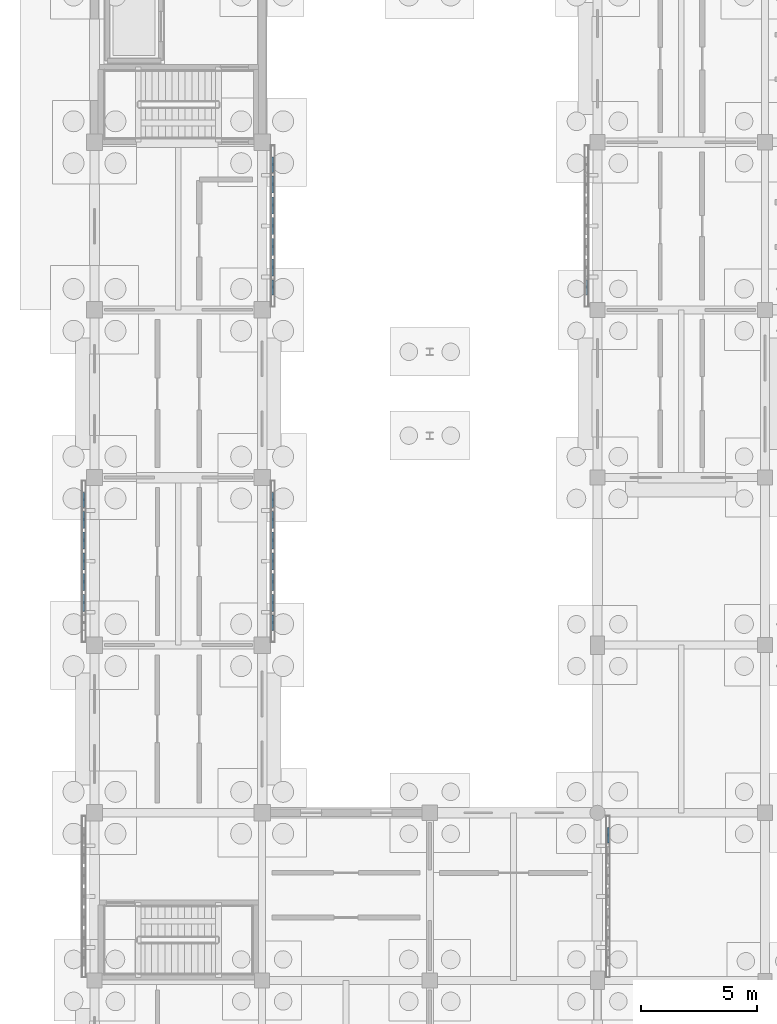
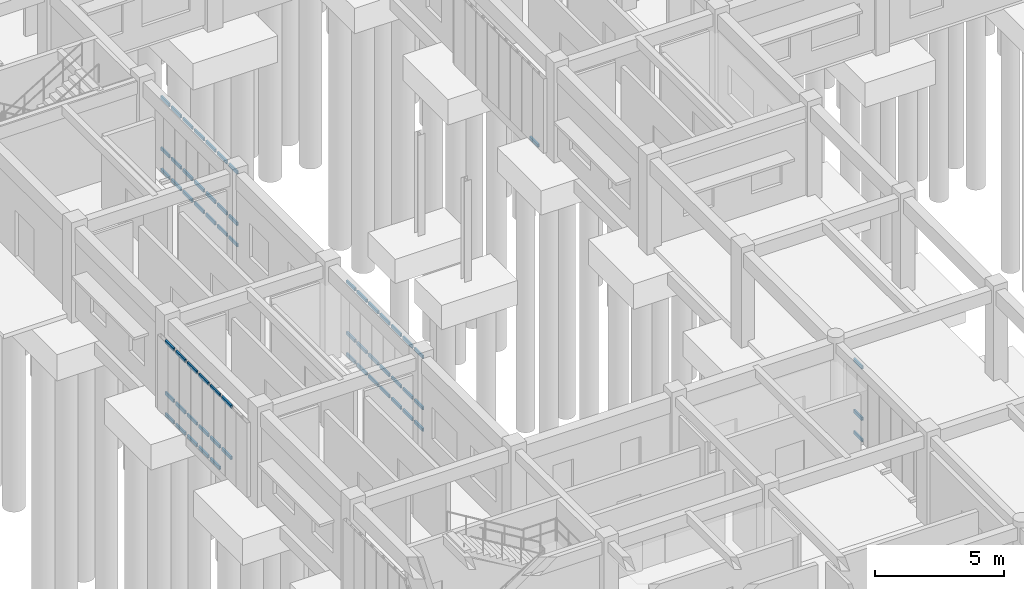
# One storey, part 42 of 111: 63 members, 5 elements without a shape of their own.
"""IFC4 building model written with IfcOpenShell, lengths in metres."""

import ifcopenshell
import ifcopenshell.guid

model = None  # the IFC model being written
_history = None  # IfcOwnerHistory: only IFC2X3 demands one
_inside = {}  # id of a spatial element -> (the spatial element, [elements in it])
_under = {}  # id of a project, library or spatial element -> (it, [spatial elements below it])
_declared = {}  # id of a project -> (the project, [libraries it declares])
_typed = {}  # id of a type object -> (the type object, [elements of that type])
_made_of = {}  # id of a material, layer set ... -> (it, [elements and type objects made of it])


def new_model(schema):
    """Start an empty IFC model of exactly this schema.

    Asked for "IFC4X3", IfcOpenShell would pick the latest addendum, in which some entities
    have other attributes; the version numbers below select the first issue.
    IFC2X3 requires an IfcOwnerHistory on every rooted entity: one is made here for all.
    """
    global model, _history
    if schema == "IFC4X3":
        model = ifcopenshell.file(schema_version=(4, 3, 0, 0))
    else:
        model = ifcopenshell.file(schema=schema)
    _inside.clear()
    _under.clear()
    _declared.clear()
    _typed.clear()
    _made_of.clear()
    _history = None
    if model.schema == "IFC2X3":
        org = make("IfcOrganization", Name="unknown")
        user = make(
            "IfcPersonAndOrganization",
            ThePerson=make("IfcPerson", FamilyName="unknown"),
            TheOrganization=org,
        )
        app = make(
            "IfcApplication",
            ApplicationDeveloper=org,
            Version="unknown",
            ApplicationFullName="unknown",
            ApplicationIdentifier="unknown",
        )
        _history = make(
            "IfcOwnerHistory",
            OwningUser=user,
            OwningApplication=app,
            ChangeAction="ADDED",
            CreationDate=0,
        )
    return model


def make(cls, **values):
    """One entity of the class cls with the attributes given. An attribute that is None is left unset."""
    return model.create_entity(
        cls, **{name: value for name, value in values.items() if value is not None}
    )


def rooted(cls, **values):
    """An entity with a GlobalId (a new one), such as an element, a storey or a relation."""
    return make(cls, GlobalId=ifcopenshell.guid.new(), OwnerHistory=_history, **values)


def si_unit(unit_type, name, prefix=None):
    """IfcSIUnit, for example si_unit("LENGTHUNIT", "METRE", prefix="MILLI")."""
    return make("IfcSIUnit", UnitType=unit_type, Prefix=prefix, Name=name)


def assignment(units):
    """IfcUnitAssignment: the units of a project."""
    return None if units is None else make("IfcUnitAssignment", Units=units)


def point(xyz):
    """IfcCartesianPoint."""
    return None if xyz is None else make("IfcCartesianPoint", Coordinates=xyz)


def direction(xyz):
    """IfcDirection."""
    return None if xyz is None else make("IfcDirection", DirectionRatios=xyz)


def frame(location, z_axis=None, x_axis=None):
    """IfcAxis2Placement3D, a coordinate frame: its origin and axes. An axis left out is left unset."""
    return make(
        "IfcAxis2Placement3D",
        Location=point(location),
        Axis=direction(z_axis),
        RefDirection=direction(x_axis),
    )


def frame_2d(location, x_axis=None):
    """IfcAxis2Placement2D, a coordinate frame in the plane: its origin and x axis."""
    return make(
        "IfcAxis2Placement2D", Location=point(location), RefDirection=direction(x_axis)
    )


def origin():
    """The frame at (0, 0, 0) with its axes left unset."""
    return frame((0.0, 0.0, 0.0))


def origin_2d():
    """The frame at (0, 0) in the plane with its x axis left unset."""
    return frame_2d((0.0, 0.0))


def place(relative_to, where):
    """IfcLocalPlacement: puts the frame where relative to a parent placement (None: the world)."""
    return make(
        "IfcLocalPlacement", PlacementRelTo=relative_to, RelativePlacement=where
    )


def context(
    kind, dimensions, precision=None, world=None, true_north=None, identifier=None
):
    """IfcGeometricRepresentationContext, for example the 3D "Model" context."""
    return make(
        "IfcGeometricRepresentationContext",
        ContextIdentifier=identifier,
        ContextType=kind,
        CoordinateSpaceDimension=dimensions,
        Precision=precision,
        WorldCoordinateSystem=world,
        TrueNorth=true_north,
    )


def subcontext(parent, identifier, kind, view, scale=None):
    """IfcGeometricRepresentationSubContext, for example "Body" below "Model"."""
    return make(
        "IfcGeometricRepresentationSubContext",
        ContextIdentifier=identifier,
        ContextType=kind,
        ParentContext=parent,
        TargetScale=scale,
        TargetView=view,
    )


def project(units=None, contexts=None):
    """IfcProject with its units and contexts."""
    return rooted(
        "IfcProject",
        Name="project",
        RepresentationContexts=contexts,
        UnitsInContext=assignment(units),
    )


def spatial(cls, under=None, at=None, **own):
    """A site, building, storey or space (cls), placed at a placement, below another one or the project."""
    s = rooted(cls, ObjectPlacement=at, **own)
    if under is not None:
        _under.setdefault(under.id(), (under, []))[1].append(s)
    return s


def profile(cls, at=None, kind="AREA", **sizes):
    """A parametric profile (cls). Its sizes go by their IFC names, for example OverallWidth=200.0."""
    return make(cls, ProfileType=kind, Position=at, **sizes)


def hollow_rectangle(**sizes):
    """IfcRectangleHollowProfileDef."""
    return profile("IfcRectangleHollowProfileDef", **sizes)


def extrude(swept, where, along, depth):
    """IfcExtrudedAreaSolid: the profile swept, set in the frame where, extruded along a direction by depth."""
    return make(
        "IfcExtrudedAreaSolid",
        SweptArea=swept,
        Position=where,
        ExtrudedDirection=direction(along),
        Depth=depth,
    )


def shape(context_of_items, identifier, shape_type, items):
    """IfcShapeRepresentation: the items that make up one representation, for example the "Body"."""
    return make(
        "IfcShapeRepresentation",
        ContextOfItems=context_of_items,
        RepresentationIdentifier=identifier,
        RepresentationType=shape_type,
        Items=items,
    )


def material(Name=None, Category=None):
    """IfcMaterial."""
    return make("IfcMaterial", Name=Name, Category=Category)


def material_profile(
    of_material, cross_section, Name=None, Category=None, Priority=None
):
    """IfcMaterialProfile: a cross section and its material."""
    return make(
        "IfcMaterialProfile",
        Name=Name,
        Material=of_material,
        Profile=cross_section,
        Priority=Priority,
        Category=Category,
    )


def profile_set(profiles, Name=None, composite=None):
    """IfcMaterialProfileSet."""
    return make(
        "IfcMaterialProfileSet",
        Name=Name,
        MaterialProfiles=profiles,
        CompositeProfile=composite,
    )


def made_of(thing, what):
    """Note that an element or type object is made of a material, layer set ...; save() writes the relation."""
    if what is not None:
        _made_of.setdefault(what.id(), (what, []))[1].append(thing)
    return thing


def type_object(cls, material=None, **own):
    """A type object (cls), such as IfcWallType, which elements share."""
    return made_of(rooted(cls, **own), material)


def element(
    cls,
    number,
    at=None,
    inside=None,
    cuts=None,
    type_object=None,
    material=None,
    context=None,
    identifier="Body",
    shape_type=None,
    held_by="IfcProductDefinitionShape",
    body=None,
    shapes=None,
    **own,
):
    """One element of the class cls, such as IfcWall. Its Tag is "e" and its number.

    at: its placement. inside: the storey or other place that contains it. cuts: it is an
    opening in that element (IfcRelVoidsElement). A single representation is given by context,
    identifier, shape_type and body (its items); several are given by shapes. held_by: the class
    of the entity that holds the representations. save() writes the other relations.
    """
    e = rooted(cls, Tag="e%d" % number, ObjectPlacement=at, **own)
    if body is not None:
        shapes = [shape(context, identifier, shape_type, body)]
    if shapes is not None:
        e.Representation = make(held_by, Representations=shapes)
    if inside is not None:
        _inside.setdefault(inside.id(), (inside, []))[1].append(e)
    if cuts is not None:
        rooted(
            "IfcRelVoidsElement", RelatingBuildingElement=cuts, RelatedOpeningElement=e
        )
    if type_object is not None:
        _typed.setdefault(type_object.id(), (type_object, []))[1].append(e)
    return made_of(e, material)


def aggregate(whole, parts):
    """IfcRelAggregates: a whole, such as a stair, and the parts it consists of."""
    return rooted("IfcRelAggregates", RelatingObject=whole, RelatedObjects=parts)


def save(model, path):
    """Write the relations noted so far, then the file.

    IfcRelAggregates (storeys below a building ...), IfcRelContainedInSpatialStructure (elements
    in a storey), IfcRelDefinesByType, IfcRelAssociatesMaterial and IfcRelDeclares: one each for
    every whole, place, type object, material and project.
    """
    for whole, parts in _under.values():
        aggregate(whole, parts)
    for where, things in _inside.values():
        rooted(
            "IfcRelContainedInSpatialStructure",
            RelatedElements=things,
            RelatingStructure=where,
        )
    for kind, things in _typed.values():
        rooted("IfcRelDefinesByType", RelatedObjects=things, RelatingType=kind)
    for what, things in _made_of.values():
        rooted("IfcRelAssociatesMaterial", RelatedObjects=things, RelatingMaterial=what)
    for by, libraries in _declared.values():
        rooted("IfcRelDeclares", RelatingContext=by, RelatedDefinitions=libraries)
    model.write(path)


model = new_model("IFC4")

# Units and contexts
model_context = context("Model", 3, precision=1e-05, world=origin(), true_north=direction((0.0, 1.0)))
body_context = subcontext(model_context, "Body", "Model", "MODEL_VIEW")
ifc_project = project(units=[si_unit("LENGTHUNIT", "METRE"), si_unit("AREAUNIT", "SQUARE_METRE"), si_unit("VOLUMEUNIT", "CUBIC_METRE"), si_unit("PLANEANGLEUNIT", "RADIAN"), si_unit("MASSUNIT", "GRAM", prefix="KILO")], contexts=[model_context])

# Site, building, storey
site_placement = place(None, origin())
site = spatial("IfcSite", under=ifc_project, at=site_placement, CompositionType="ELEMENT")
building_placement = place(site_placement, origin())
building = spatial("IfcBuilding", under=site, at=building_placement, Name="Aldebral Square Health Centre", CompositionType="ELEMENT")
storey_placement = place(building_placement, origin())
storey = spatial("IfcBuildingStorey", under=building, at=storey_placement, Name="L00", CompositionType="ELEMENT", Elevation=0.0)

# Curtain wall, members
ifc_material_1 = material(Name="Aluminium and low-E solar glass", Category="aluminium")
curtain_wall_type = type_object("IfcCurtainWallType", Name="CW-FIN-SYS", PredefinedType="USERDEFINED", material=ifc_material_1)
curtain_wall_1_placement = place(storey_placement, origin())
curtain_wall_1 = element("IfcCurtainWall", 1, at=curtain_wall_1_placement, inside=storey, type_object=curtain_wall_type, Name="L00 V4 finned curtain wall L00-V4-00-10-W", ObjectType="SOLAR_CURTAIN_WALL", PredefinedType="USERDEFINED")
ifc_material_2 = material(Name="Anodised aluminium transom", Category="aluminium")
ifc_material_profile = material_profile(ifc_material_2, hollow_rectangle(XDim=0.074951171875, YDim=0.14990234375, WallThickness=0.00390625, at=origin_2d()), Name="CWT 75x150x4")
ifc_profile_set = profile_set([ifc_material_profile], Name="Anodised aluminium transom")
member_type = type_object("IfcMemberType", Name="CWT-STD", PredefinedType="USERDEFINED", material=ifc_profile_set)
member_1_placement = place(storey_placement, frame((-0.4599609375, 78.56005859375, 0.03759765625), z_axis=(0.0, -1.0, 0.0), x_axis=(1.0, 0.0, 0.0)))
member_1 = element("IfcMember", 2, at=member_1_placement, type_object=member_type, Name="CW1 transom 1.1", ObjectType="TRANSOM", PredefinedType="USERDEFINED", context=body_context, shape_type="SweptSolid", body=[
    extrude(hollow_rectangle(XDim=0.074951171875, YDim=0.14990234375, WallThickness=0.00390625, at=origin_2d()), origin(), (0.0, 0.0, 1.0), 0.6513671875),
])
member_2_placement = place(storey_placement, frame((-0.4599609375, 78.56005859375, 1.050048828125), z_axis=(0.0, -1.0, 0.0), x_axis=(1.0, 0.0, 0.0)))
member_2 = element("IfcMember", 3, at=member_2_placement, type_object=member_type, Name="CW1 transom 1.2", ObjectType="TRANSOM", PredefinedType="USERDEFINED", context=body_context, shape_type="SweptSolid", body=[
    extrude(hollow_rectangle(XDim=0.074951171875, YDim=0.14990234375, WallThickness=0.00390625, at=origin_2d()), origin(), (0.0, 0.0, 1.0), 0.6513671875),
])
member_3_placement = place(storey_placement, frame((-0.4599609375, 78.56005859375, 3.482421875), z_axis=(0.0, -1.0, 0.0), x_axis=(1.0, 0.0, 0.0)))
member_3 = element("IfcMember", 4, at=member_3_placement, type_object=member_type, Name="CW1 transom 1.3", ObjectType="TRANSOM", PredefinedType="USERDEFINED", context=body_context, shape_type="SweptSolid", body=[
    extrude(hollow_rectangle(XDim=0.074951171875, YDim=0.14990234375, WallThickness=0.00390625, at=origin_2d()), origin(), (0.0, 0.0, 1.0), 0.6513671875),
])
member_4_placement = place(storey_placement, frame((-0.4599609375, 77.74853515625, 0.03759765625), z_axis=(0.0, -1.0, 0.0), x_axis=(1.0, 0.0, 0.0)))
member_4 = element("IfcMember", 5, at=member_4_placement, type_object=member_type, Name="CW1 transom 2.1", ObjectType="TRANSOM", PredefinedType="USERDEFINED", context=body_context, shape_type="SweptSolid", body=[
    extrude(hollow_rectangle(XDim=0.074951171875, YDim=0.14990234375, WallThickness=0.00390625, at=origin_2d()), origin(), (0.0, 0.0, 1.0), 0.7314453125),
])
member_5_placement = place(storey_placement, frame((-0.4599609375, 77.74853515625, 1.050048828125), z_axis=(0.0, -1.0, 0.0), x_axis=(1.0, 0.0, 0.0)))
member_5 = element("IfcMember", 6, at=member_5_placement, type_object=member_type, Name="CW1 transom 2.2", ObjectType="TRANSOM", PredefinedType="USERDEFINED", context=body_context, shape_type="SweptSolid", body=[
    extrude(hollow_rectangle(XDim=0.074951171875, YDim=0.14990234375, WallThickness=0.00390625, at=origin_2d()), origin(), (0.0, 0.0, 1.0), 0.7314453125),
])
member_6_placement = place(storey_placement, frame((-0.4599609375, 77.74853515625, 3.482421875), z_axis=(0.0, -1.0, 0.0), x_axis=(1.0, 0.0, 0.0)))
member_6 = element("IfcMember", 7, at=member_6_placement, type_object=member_type, Name="CW1 transom 2.3", ObjectType="TRANSOM", PredefinedType="USERDEFINED", context=body_context, shape_type="SweptSolid", body=[
    extrude(hollow_rectangle(XDim=0.074951171875, YDim=0.14990234375, WallThickness=0.00390625, at=origin_2d()), origin(), (0.0, 0.0, 1.0), 0.7314453125),
])
member_7_placement = place(storey_placement, frame((-0.4599609375, 76.857177734375, 0.03759765625), z_axis=(0.0, -1.0, 0.0), x_axis=(1.0, 0.0, 0.0)))
member_7 = element("IfcMember", 8, at=member_7_placement, type_object=member_type, Name="CW1 transom 3.1", ObjectType="TRANSOM", PredefinedType="USERDEFINED", context=body_context, shape_type="SweptSolid", body=[
    extrude(hollow_rectangle(XDim=0.074951171875, YDim=0.14990234375, WallThickness=0.00390625, at=origin_2d()), origin(), (0.0, 0.0, 1.0), 0.7314453125),
])
member_8_placement = place(storey_placement, frame((-0.4599609375, 76.857177734375, 1.050048828125), z_axis=(0.0, -1.0, 0.0), x_axis=(1.0, 0.0, 0.0)))
member_8 = element("IfcMember", 9, at=member_8_placement, type_object=member_type, Name="CW1 transom 3.2", ObjectType="TRANSOM", PredefinedType="USERDEFINED", context=body_context, shape_type="SweptSolid", body=[
    extrude(hollow_rectangle(XDim=0.074951171875, YDim=0.14990234375, WallThickness=0.00390625, at=origin_2d()), origin(), (0.0, 0.0, 1.0), 0.7314453125),
])
member_9_placement = place(storey_placement, frame((-0.4599609375, 76.857177734375, 3.482421875), z_axis=(0.0, -1.0, 0.0), x_axis=(1.0, 0.0, 0.0)))
member_9 = element("IfcMember", 10, at=member_9_placement, type_object=member_type, Name="CW1 transom 3.3", ObjectType="TRANSOM", PredefinedType="USERDEFINED", context=body_context, shape_type="SweptSolid", body=[
    extrude(hollow_rectangle(XDim=0.074951171875, YDim=0.14990234375, WallThickness=0.00390625, at=origin_2d()), origin(), (0.0, 0.0, 1.0), 0.7314453125),
])
member_10_placement = place(storey_placement, frame((-0.4599609375, 75.9658203125, 0.03759765625), z_axis=(0.0, -1.0, 0.0), x_axis=(1.0, 0.0, 0.0)))
member_10 = element("IfcMember", 11, at=member_10_placement, type_object=member_type, Name="CW1 transom 4.1", ObjectType="TRANSOM", PredefinedType="USERDEFINED", context=body_context, shape_type="SweptSolid", body=[
    extrude(hollow_rectangle(XDim=0.074951171875, YDim=0.14990234375, WallThickness=0.00390625, at=origin_2d()), origin(), (0.0, 0.0, 1.0), 0.7314453125),
])
member_11_placement = place(storey_placement, frame((-0.4599609375, 75.9658203125, 1.050048828125), z_axis=(0.0, -1.0, 0.0), x_axis=(1.0, 0.0, 0.0)))
member_11 = element("IfcMember", 12, at=member_11_placement, type_object=member_type, Name="CW1 transom 4.2", ObjectType="TRANSOM", PredefinedType="USERDEFINED", context=body_context, shape_type="SweptSolid", body=[
    extrude(hollow_rectangle(XDim=0.074951171875, YDim=0.14990234375, WallThickness=0.00390625, at=origin_2d()), origin(), (0.0, 0.0, 1.0), 0.7314453125),
])
member_12_placement = place(storey_placement, frame((-0.4599609375, 75.9658203125, 3.482421875), z_axis=(0.0, -1.0, 0.0), x_axis=(1.0, 0.0, 0.0)))
member_12 = element("IfcMember", 13, at=member_12_placement, type_object=member_type, Name="CW1 transom 4.3", ObjectType="TRANSOM", PredefinedType="USERDEFINED", context=body_context, shape_type="SweptSolid", body=[
    extrude(hollow_rectangle(XDim=0.074951171875, YDim=0.14990234375, WallThickness=0.00390625, at=origin_2d()), origin(), (0.0, 0.0, 1.0), 0.7314453125),
])
member_13_placement = place(storey_placement, frame((-0.4599609375, 75.07421875, 0.03759765625), z_axis=(0.0, -1.0, 0.0), x_axis=(1.0, 0.0, 0.0)))
member_13 = element("IfcMember", 14, at=member_13_placement, type_object=member_type, Name="CW1 transom 5.1", ObjectType="TRANSOM", PredefinedType="USERDEFINED", context=body_context, shape_type="SweptSolid", body=[
    extrude(hollow_rectangle(XDim=0.074951171875, YDim=0.14990234375, WallThickness=0.00390625, at=origin_2d()), origin(), (0.0, 0.0, 1.0), 0.7314453125),
])
member_14_placement = place(storey_placement, frame((-0.4599609375, 75.07421875, 1.050048828125), z_axis=(0.0, -1.0, 0.0), x_axis=(1.0, 0.0, 0.0)))
member_14 = element("IfcMember", 15, at=member_14_placement, type_object=member_type, Name="CW1 transom 5.2", ObjectType="TRANSOM", PredefinedType="USERDEFINED", context=body_context, shape_type="SweptSolid", body=[
    extrude(hollow_rectangle(XDim=0.074951171875, YDim=0.14990234375, WallThickness=0.00390625, at=origin_2d()), origin(), (0.0, 0.0, 1.0), 0.7314453125),
])
member_15_placement = place(storey_placement, frame((-0.4599609375, 75.07421875, 3.482421875), z_axis=(0.0, -1.0, 0.0), x_axis=(1.0, 0.0, 0.0)))
member_15 = element("IfcMember", 16, at=member_15_placement, type_object=member_type, Name="CW1 transom 5.3", ObjectType="TRANSOM", PredefinedType="USERDEFINED", context=body_context, shape_type="SweptSolid", body=[
    extrude(hollow_rectangle(XDim=0.074951171875, YDim=0.14990234375, WallThickness=0.00390625, at=origin_2d()), origin(), (0.0, 0.0, 1.0), 0.7314453125),
])
member_16_placement = place(storey_placement, frame((-0.4599609375, 74.182861328125, 1.050048828125), z_axis=(0.0, -1.0, 0.0), x_axis=(1.0, 0.0, 0.0)))
member_16 = element("IfcMember", 17, at=member_16_placement, type_object=member_type, Name="CW1 transom 6.2", ObjectType="TRANSOM", PredefinedType="USERDEFINED", context=body_context, shape_type="SweptSolid", body=[
    extrude(hollow_rectangle(XDim=0.074951171875, YDim=0.14990234375, WallThickness=0.00390625, at=origin_2d()), origin(), (0.0, 0.0, 1.0), 0.7314453125),
])
member_17_placement = place(storey_placement, frame((-0.4599609375, 74.182861328125, 3.482421875), z_axis=(0.0, -1.0, 0.0), x_axis=(1.0, 0.0, 0.0)))
member_17 = element("IfcMember", 18, at=member_17_placement, type_object=member_type, Name="CW1 transom 6.3", ObjectType="TRANSOM", PredefinedType="USERDEFINED", context=body_context, shape_type="SweptSolid", body=[
    extrude(hollow_rectangle(XDim=0.074951171875, YDim=0.14990234375, WallThickness=0.00390625, at=origin_2d()), origin(), (0.0, 0.0, 1.0), 0.7314453125),
])
aggregate(curtain_wall_1, [member_1, member_2, member_3, member_4, member_5, member_6, member_7, member_8, member_9, member_10, member_11, member_12, member_13, member_14, member_15, member_16, member_17])

curtain_wall_2_placement = place(storey_placement, origin())
curtain_wall_2 = element("IfcCurtainWall", 19, at=curtain_wall_2_placement, inside=storey, type_object=curtain_wall_type, Name="L00 V4 finned curtain wall L00-V4-00-10-E", ObjectType="SOLAR_CURTAIN_WALL", PredefinedType="USERDEFINED")
member_18_placement = place(storey_placement, frame((7.659912109375, 72.639892578125, 0.03759765625), z_axis=(0.0, 1.0, 0.0), x_axis=(-1.0, 0.0, 0.0)))
member_18 = element("IfcMember", 20, at=member_18_placement, type_object=member_type, Name="CW1 transom 1.1", ObjectType="TRANSOM", PredefinedType="USERDEFINED", context=body_context, shape_type="SweptSolid", body=[
    extrude(hollow_rectangle(XDim=0.074951171875, YDim=0.14990234375, WallThickness=0.00390625, at=origin_2d()), origin(), (0.0, 0.0, 1.0), 0.651611328125),
])
member_19_placement = place(storey_placement, frame((7.659912109375, 72.639892578125, 1.050048828125), z_axis=(0.0, 1.0, 0.0), x_axis=(-1.0, 0.0, 0.0)))
member_19 = element("IfcMember", 21, at=member_19_placement, type_object=member_type, Name="CW1 transom 1.2", ObjectType="TRANSOM", PredefinedType="USERDEFINED", context=body_context, shape_type="SweptSolid", body=[
    extrude(hollow_rectangle(XDim=0.074951171875, YDim=0.14990234375, WallThickness=0.00390625, at=origin_2d()), origin(), (0.0, 0.0, 1.0), 0.651611328125),
])
member_20_placement = place(storey_placement, frame((7.659912109375, 72.639892578125, 3.482421875), z_axis=(0.0, 1.0, 0.0), x_axis=(-1.0, 0.0, 0.0)))
member_20 = element("IfcMember", 22, at=member_20_placement, type_object=member_type, Name="CW1 transom 1.3", ObjectType="TRANSOM", PredefinedType="USERDEFINED", context=body_context, shape_type="SweptSolid", body=[
    extrude(hollow_rectangle(XDim=0.074951171875, YDim=0.14990234375, WallThickness=0.00390625, at=origin_2d()), origin(), (0.0, 0.0, 1.0), 0.651611328125),
])
member_21_placement = place(storey_placement, frame((7.659912109375, 73.451416015625, 0.03759765625), z_axis=(0.0, 1.0, 0.0), x_axis=(-1.0, 0.0, 0.0)))
member_21 = element("IfcMember", 23, at=member_21_placement, type_object=member_type, Name="CW1 transom 2.1", ObjectType="TRANSOM", PredefinedType="USERDEFINED", context=body_context, shape_type="SweptSolid", body=[
    extrude(hollow_rectangle(XDim=0.074951171875, YDim=0.14990234375, WallThickness=0.00390625, at=origin_2d()), origin(), (0.0, 0.0, 1.0), 0.7314453125),
])
member_22_placement = place(storey_placement, frame((7.659912109375, 73.451416015625, 1.050048828125), z_axis=(0.0, 1.0, 0.0), x_axis=(-1.0, 0.0, 0.0)))
member_22 = element("IfcMember", 24, at=member_22_placement, type_object=member_type, Name="CW1 transom 2.2", ObjectType="TRANSOM", PredefinedType="USERDEFINED", context=body_context, shape_type="SweptSolid", body=[
    extrude(hollow_rectangle(XDim=0.074951171875, YDim=0.14990234375, WallThickness=0.00390625, at=origin_2d()), origin(), (0.0, 0.0, 1.0), 0.7314453125),
])
member_23_placement = place(storey_placement, frame((7.659912109375, 73.451416015625, 3.482421875), z_axis=(0.0, 1.0, 0.0), x_axis=(-1.0, 0.0, 0.0)))
member_23 = element("IfcMember", 25, at=member_23_placement, type_object=member_type, Name="CW1 transom 2.3", ObjectType="TRANSOM", PredefinedType="USERDEFINED", context=body_context, shape_type="SweptSolid", body=[
    extrude(hollow_rectangle(XDim=0.074951171875, YDim=0.14990234375, WallThickness=0.00390625, at=origin_2d()), origin(), (0.0, 0.0, 1.0), 0.7314453125),
])
member_24_placement = place(storey_placement, frame((7.659912109375, 74.3427734375, 0.03759765625), z_axis=(0.0, 1.0, 0.0), x_axis=(-1.0, 0.0, 0.0)))
member_24 = element("IfcMember", 26, at=member_24_placement, type_object=member_type, Name="CW1 transom 3.1", ObjectType="TRANSOM", PredefinedType="USERDEFINED", context=body_context, shape_type="SweptSolid", body=[
    extrude(hollow_rectangle(XDim=0.074951171875, YDim=0.14990234375, WallThickness=0.00390625, at=origin_2d()), origin(), (0.0, 0.0, 1.0), 0.7314453125),
])
member_25_placement = place(storey_placement, frame((7.659912109375, 74.3427734375, 1.050048828125), z_axis=(0.0, 1.0, 0.0), x_axis=(-1.0, 0.0, 0.0)))
member_25 = element("IfcMember", 27, at=member_25_placement, type_object=member_type, Name="CW1 transom 3.2", ObjectType="TRANSOM", PredefinedType="USERDEFINED", context=body_context, shape_type="SweptSolid", body=[
    extrude(hollow_rectangle(XDim=0.074951171875, YDim=0.14990234375, WallThickness=0.00390625, at=origin_2d()), origin(), (0.0, 0.0, 1.0), 0.7314453125),
])
member_26_placement = place(storey_placement, frame((7.659912109375, 74.3427734375, 3.482421875), z_axis=(0.0, 1.0, 0.0), x_axis=(-1.0, 0.0, 0.0)))
member_26 = element("IfcMember", 28, at=member_26_placement, type_object=member_type, Name="CW1 transom 3.3", ObjectType="TRANSOM", PredefinedType="USERDEFINED", context=body_context, shape_type="SweptSolid", body=[
    extrude(hollow_rectangle(XDim=0.074951171875, YDim=0.14990234375, WallThickness=0.00390625, at=origin_2d()), origin(), (0.0, 0.0, 1.0), 0.7314453125),
])
member_27_placement = place(storey_placement, frame((7.659912109375, 75.234375, 0.03759765625), z_axis=(0.0, 1.0, 0.0), x_axis=(-1.0, 0.0, 0.0)))
member_27 = element("IfcMember", 29, at=member_27_placement, type_object=member_type, Name="CW1 transom 4.1", ObjectType="TRANSOM", PredefinedType="USERDEFINED", context=body_context, shape_type="SweptSolid", body=[
    extrude(hollow_rectangle(XDim=0.074951171875, YDim=0.14990234375, WallThickness=0.00390625, at=origin_2d()), origin(), (0.0, 0.0, 1.0), 0.7314453125),
])
member_28_placement = place(storey_placement, frame((7.659912109375, 75.234375, 1.050048828125), z_axis=(0.0, 1.0, 0.0), x_axis=(-1.0, 0.0, 0.0)))
member_28 = element("IfcMember", 30, at=member_28_placement, type_object=member_type, Name="CW1 transom 4.2", ObjectType="TRANSOM", PredefinedType="USERDEFINED", context=body_context, shape_type="SweptSolid", body=[
    extrude(hollow_rectangle(XDim=0.074951171875, YDim=0.14990234375, WallThickness=0.00390625, at=origin_2d()), origin(), (0.0, 0.0, 1.0), 0.7314453125),
])
member_29_placement = place(storey_placement, frame((7.659912109375, 75.234375, 3.482421875), z_axis=(0.0, 1.0, 0.0), x_axis=(-1.0, 0.0, 0.0)))
member_29 = element("IfcMember", 31, at=member_29_placement, type_object=member_type, Name="CW1 transom 4.3", ObjectType="TRANSOM", PredefinedType="USERDEFINED", context=body_context, shape_type="SweptSolid", body=[
    extrude(hollow_rectangle(XDim=0.074951171875, YDim=0.14990234375, WallThickness=0.00390625, at=origin_2d()), origin(), (0.0, 0.0, 1.0), 0.7314453125),
])
member_30_placement = place(storey_placement, frame((7.659912109375, 76.125732421875, 0.03759765625), z_axis=(0.0, 1.0, 0.0), x_axis=(-1.0, 0.0, 0.0)))
member_30 = element("IfcMember", 32, at=member_30_placement, type_object=member_type, Name="CW1 transom 5.1", ObjectType="TRANSOM", PredefinedType="USERDEFINED", context=body_context, shape_type="SweptSolid", body=[
    extrude(hollow_rectangle(XDim=0.074951171875, YDim=0.14990234375, WallThickness=0.00390625, at=origin_2d()), origin(), (0.0, 0.0, 1.0), 0.7314453125),
])
member_31_placement = place(storey_placement, frame((7.659912109375, 76.125732421875, 1.050048828125), z_axis=(0.0, 1.0, 0.0), x_axis=(-1.0, 0.0, 0.0)))
member_31 = element("IfcMember", 33, at=member_31_placement, type_object=member_type, Name="CW1 transom 5.2", ObjectType="TRANSOM", PredefinedType="USERDEFINED", context=body_context, shape_type="SweptSolid", body=[
    extrude(hollow_rectangle(XDim=0.074951171875, YDim=0.14990234375, WallThickness=0.00390625, at=origin_2d()), origin(), (0.0, 0.0, 1.0), 0.7314453125),
])
member_32_placement = place(storey_placement, frame((7.659912109375, 76.125732421875, 3.482421875), z_axis=(0.0, 1.0, 0.0), x_axis=(-1.0, 0.0, 0.0)))
member_32 = element("IfcMember", 34, at=member_32_placement, type_object=member_type, Name="CW1 transom 5.3", ObjectType="TRANSOM", PredefinedType="USERDEFINED", context=body_context, shape_type="SweptSolid", body=[
    extrude(hollow_rectangle(XDim=0.074951171875, YDim=0.14990234375, WallThickness=0.00390625, at=origin_2d()), origin(), (0.0, 0.0, 1.0), 0.7314453125),
])
member_33_placement = place(storey_placement, frame((7.659912109375, 77.01708984375, 0.03759765625), z_axis=(0.0, 1.0, 0.0), x_axis=(-1.0, 0.0, 0.0)))
member_33 = element("IfcMember", 35, at=member_33_placement, type_object=member_type, Name="CW1 transom 6.1", ObjectType="TRANSOM", PredefinedType="USERDEFINED", context=body_context, shape_type="SweptSolid", body=[
    extrude(hollow_rectangle(XDim=0.074951171875, YDim=0.14990234375, WallThickness=0.00390625, at=origin_2d()), origin(), (0.0, 0.0, 1.0), 0.7314453125),
])
member_34_placement = place(storey_placement, frame((7.659912109375, 77.01708984375, 1.050048828125), z_axis=(0.0, 1.0, 0.0), x_axis=(-1.0, 0.0, 0.0)))
member_34 = element("IfcMember", 36, at=member_34_placement, type_object=member_type, Name="CW1 transom 6.2", ObjectType="TRANSOM", PredefinedType="USERDEFINED", context=body_context, shape_type="SweptSolid", body=[
    extrude(hollow_rectangle(XDim=0.074951171875, YDim=0.14990234375, WallThickness=0.00390625, at=origin_2d()), origin(), (0.0, 0.0, 1.0), 0.7314453125),
])
member_35_placement = place(storey_placement, frame((7.659912109375, 77.01708984375, 3.482421875), z_axis=(0.0, 1.0, 0.0), x_axis=(-1.0, 0.0, 0.0)))
member_35 = element("IfcMember", 37, at=member_35_placement, type_object=member_type, Name="CW1 transom 6.3", ObjectType="TRANSOM", PredefinedType="USERDEFINED", context=body_context, shape_type="SweptSolid", body=[
    extrude(hollow_rectangle(XDim=0.074951171875, YDim=0.14990234375, WallThickness=0.00390625, at=origin_2d()), origin(), (0.0, 0.0, 1.0), 0.7314453125),
])
member_36_placement = place(storey_placement, frame((7.659912109375, 77.90869140625, 0.03759765625), z_axis=(0.0, 1.0, 0.0), x_axis=(-1.0, 0.0, 0.0)))
member_36 = element("IfcMember", 38, at=member_36_placement, type_object=member_type, Name="CW1 transom 7.1", ObjectType="TRANSOM", PredefinedType="USERDEFINED", context=body_context, shape_type="SweptSolid", body=[
    extrude(hollow_rectangle(XDim=0.074951171875, YDim=0.14990234375, WallThickness=0.00390625, at=origin_2d()), origin(), (0.0, 0.0, 1.0), 0.6513671875),
])
member_37_placement = place(storey_placement, frame((7.659912109375, 77.90869140625, 1.050048828125), z_axis=(0.0, 1.0, 0.0), x_axis=(-1.0, 0.0, 0.0)))
member_37 = element("IfcMember", 39, at=member_37_placement, type_object=member_type, Name="CW1 transom 7.2", ObjectType="TRANSOM", PredefinedType="USERDEFINED", context=body_context, shape_type="SweptSolid", body=[
    extrude(hollow_rectangle(XDim=0.074951171875, YDim=0.14990234375, WallThickness=0.00390625, at=origin_2d()), origin(), (0.0, 0.0, 1.0), 0.6513671875),
])
member_38_placement = place(storey_placement, frame((7.659912109375, 77.90869140625, 3.482421875), z_axis=(0.0, 1.0, 0.0), x_axis=(-1.0, 0.0, 0.0)))
member_38 = element("IfcMember", 40, at=member_38_placement, type_object=member_type, Name="CW1 transom 7.3", ObjectType="TRANSOM", PredefinedType="USERDEFINED", context=body_context, shape_type="SweptSolid", body=[
    extrude(hollow_rectangle(XDim=0.074951171875, YDim=0.14990234375, WallThickness=0.00390625, at=origin_2d()), origin(), (0.0, 0.0, 1.0), 0.6513671875),
])
aggregate(curtain_wall_2, [member_18, member_19, member_20, member_21, member_22, member_23, member_24, member_25, member_26, member_27, member_28, member_29, member_30, member_31, member_32, member_33, member_34, member_35, member_36, member_37, member_38])

curtain_wall_3_placement = place(storey_placement, origin())
curtain_wall_3 = element("IfcCurtainWall", 41, at=curtain_wall_3_placement, inside=storey, type_object=curtain_wall_type, Name="L00 V4 finned curtain wall L00-V4-00-12-E", ObjectType="SOLAR_CURTAIN_WALL", PredefinedType="USERDEFINED")
member_39_placement = place(storey_placement, frame((7.659912109375, 87.0400390625, 0.03759765625), z_axis=(0.0, 1.0, 0.0), x_axis=(-1.0, 0.0, 0.0)))
member_39 = element("IfcMember", 42, at=member_39_placement, type_object=member_type, Name="CW1 transom 1.1", ObjectType="TRANSOM", PredefinedType="USERDEFINED", context=body_context, shape_type="SweptSolid", body=[
    extrude(hollow_rectangle(XDim=0.074951171875, YDim=0.14990234375, WallThickness=0.00390625, at=origin_2d()), origin(), (0.0, 0.0, 1.0), 0.6513671875),
])
member_40_placement = place(storey_placement, frame((7.659912109375, 87.0400390625, 1.050048828125), z_axis=(0.0, 1.0, 0.0), x_axis=(-1.0, 0.0, 0.0)))
member_40 = element("IfcMember", 43, at=member_40_placement, type_object=member_type, Name="CW1 transom 1.2", ObjectType="TRANSOM", PredefinedType="USERDEFINED", context=body_context, shape_type="SweptSolid", body=[
    extrude(hollow_rectangle(XDim=0.074951171875, YDim=0.14990234375, WallThickness=0.00390625, at=origin_2d()), origin(), (0.0, 0.0, 1.0), 0.6513671875),
])
member_41_placement = place(storey_placement, frame((7.659912109375, 87.0400390625, 3.482421875), z_axis=(0.0, 1.0, 0.0), x_axis=(-1.0, 0.0, 0.0)))
member_41 = element("IfcMember", 44, at=member_41_placement, type_object=member_type, Name="CW1 transom 1.3", ObjectType="TRANSOM", PredefinedType="USERDEFINED", context=body_context, shape_type="SweptSolid", body=[
    extrude(hollow_rectangle(XDim=0.074951171875, YDim=0.14990234375, WallThickness=0.00390625, at=origin_2d()), origin(), (0.0, 0.0, 1.0), 0.6513671875),
])
member_42_placement = place(storey_placement, frame((7.659912109375, 87.851318359375, 0.03759765625), z_axis=(0.0, 1.0, 0.0), x_axis=(-1.0, 0.0, 0.0)))
member_42 = element("IfcMember", 45, at=member_42_placement, type_object=member_type, Name="CW1 transom 2.1", ObjectType="TRANSOM", PredefinedType="USERDEFINED", context=body_context, shape_type="SweptSolid", body=[
    extrude(hollow_rectangle(XDim=0.074951171875, YDim=0.14990234375, WallThickness=0.00390625, at=origin_2d()), origin(), (0.0, 0.0, 1.0), 0.7314453125),
])
member_43_placement = place(storey_placement, frame((7.659912109375, 87.851318359375, 1.050048828125), z_axis=(0.0, 1.0, 0.0), x_axis=(-1.0, 0.0, 0.0)))
member_43 = element("IfcMember", 46, at=member_43_placement, type_object=member_type, Name="CW1 transom 2.2", ObjectType="TRANSOM", PredefinedType="USERDEFINED", context=body_context, shape_type="SweptSolid", body=[
    extrude(hollow_rectangle(XDim=0.074951171875, YDim=0.14990234375, WallThickness=0.00390625, at=origin_2d()), origin(), (0.0, 0.0, 1.0), 0.7314453125),
])
member_44_placement = place(storey_placement, frame((7.659912109375, 87.851318359375, 3.482421875), z_axis=(0.0, 1.0, 0.0), x_axis=(-1.0, 0.0, 0.0)))
member_44 = element("IfcMember", 47, at=member_44_placement, type_object=member_type, Name="CW1 transom 2.3", ObjectType="TRANSOM", PredefinedType="USERDEFINED", context=body_context, shape_type="SweptSolid", body=[
    extrude(hollow_rectangle(XDim=0.074951171875, YDim=0.14990234375, WallThickness=0.00390625, at=origin_2d()), origin(), (0.0, 0.0, 1.0), 0.7314453125),
])
member_45_placement = place(storey_placement, frame((7.659912109375, 88.742919921875, 0.03759765625), z_axis=(0.0, 1.0, 0.0), x_axis=(-1.0, 0.0, 0.0)))
member_45 = element("IfcMember", 48, at=member_45_placement, type_object=member_type, Name="CW1 transom 3.1", ObjectType="TRANSOM", PredefinedType="USERDEFINED", context=body_context, shape_type="SweptSolid", body=[
    extrude(hollow_rectangle(XDim=0.074951171875, YDim=0.14990234375, WallThickness=0.00390625, at=origin_2d()), origin(), (0.0, 0.0, 1.0), 0.7314453125),
])
member_46_placement = place(storey_placement, frame((7.659912109375, 88.742919921875, 1.050048828125), z_axis=(0.0, 1.0, 0.0), x_axis=(-1.0, 0.0, 0.0)))
member_46 = element("IfcMember", 49, at=member_46_placement, type_object=member_type, Name="CW1 transom 3.2", ObjectType="TRANSOM", PredefinedType="USERDEFINED", context=body_context, shape_type="SweptSolid", body=[
    extrude(hollow_rectangle(XDim=0.074951171875, YDim=0.14990234375, WallThickness=0.00390625, at=origin_2d()), origin(), (0.0, 0.0, 1.0), 0.7314453125),
])
member_47_placement = place(storey_placement, frame((7.659912109375, 88.742919921875, 3.482421875), z_axis=(0.0, 1.0, 0.0), x_axis=(-1.0, 0.0, 0.0)))
member_47 = element("IfcMember", 50, at=member_47_placement, type_object=member_type, Name="CW1 transom 3.3", ObjectType="TRANSOM", PredefinedType="USERDEFINED", context=body_context, shape_type="SweptSolid", body=[
    extrude(hollow_rectangle(XDim=0.074951171875, YDim=0.14990234375, WallThickness=0.00390625, at=origin_2d()), origin(), (0.0, 0.0, 1.0), 0.7314453125),
])
member_48_placement = place(storey_placement, frame((7.659912109375, 89.63427734375, 0.03759765625), z_axis=(0.0, 1.0, 0.0), x_axis=(-1.0, 0.0, 0.0)))
member_48 = element("IfcMember", 51, at=member_48_placement, type_object=member_type, Name="CW1 transom 4.1", ObjectType="TRANSOM", PredefinedType="USERDEFINED", context=body_context, shape_type="SweptSolid", body=[
    extrude(hollow_rectangle(XDim=0.074951171875, YDim=0.14990234375, WallThickness=0.00390625, at=origin_2d()), origin(), (0.0, 0.0, 1.0), 0.7314453125),
])
member_49_placement = place(storey_placement, frame((7.659912109375, 89.63427734375, 1.050048828125), z_axis=(0.0, 1.0, 0.0), x_axis=(-1.0, 0.0, 0.0)))
member_49 = element("IfcMember", 52, at=member_49_placement, type_object=member_type, Name="CW1 transom 4.2", ObjectType="TRANSOM", PredefinedType="USERDEFINED", context=body_context, shape_type="SweptSolid", body=[
    extrude(hollow_rectangle(XDim=0.074951171875, YDim=0.14990234375, WallThickness=0.00390625, at=origin_2d()), origin(), (0.0, 0.0, 1.0), 0.7314453125),
])
member_50_placement = place(storey_placement, frame((7.659912109375, 89.63427734375, 3.482421875), z_axis=(0.0, 1.0, 0.0), x_axis=(-1.0, 0.0, 0.0)))
member_50 = element("IfcMember", 53, at=member_50_placement, type_object=member_type, Name="CW1 transom 4.3", ObjectType="TRANSOM", PredefinedType="USERDEFINED", context=body_context, shape_type="SweptSolid", body=[
    extrude(hollow_rectangle(XDim=0.074951171875, YDim=0.14990234375, WallThickness=0.00390625, at=origin_2d()), origin(), (0.0, 0.0, 1.0), 0.7314453125),
])
member_51_placement = place(storey_placement, frame((7.659912109375, 90.525634765625, 0.03759765625), z_axis=(0.0, 1.0, 0.0), x_axis=(-1.0, 0.0, 0.0)))
member_51 = element("IfcMember", 54, at=member_51_placement, type_object=member_type, Name="CW1 transom 5.1", ObjectType="TRANSOM", PredefinedType="USERDEFINED", context=body_context, shape_type="SweptSolid", body=[
    extrude(hollow_rectangle(XDim=0.074951171875, YDim=0.14990234375, WallThickness=0.00390625, at=origin_2d()), origin(), (0.0, 0.0, 1.0), 0.7314453125),
])
member_52_placement = place(storey_placement, frame((7.659912109375, 90.525634765625, 1.050048828125), z_axis=(0.0, 1.0, 0.0), x_axis=(-1.0, 0.0, 0.0)))
member_52 = element("IfcMember", 55, at=member_52_placement, type_object=member_type, Name="CW1 transom 5.2", ObjectType="TRANSOM", PredefinedType="USERDEFINED", context=body_context, shape_type="SweptSolid", body=[
    extrude(hollow_rectangle(XDim=0.074951171875, YDim=0.14990234375, WallThickness=0.00390625, at=origin_2d()), origin(), (0.0, 0.0, 1.0), 0.7314453125),
])
member_53_placement = place(storey_placement, frame((7.659912109375, 90.525634765625, 3.482421875), z_axis=(0.0, 1.0, 0.0), x_axis=(-1.0, 0.0, 0.0)))
member_53 = element("IfcMember", 56, at=member_53_placement, type_object=member_type, Name="CW1 transom 5.3", ObjectType="TRANSOM", PredefinedType="USERDEFINED", context=body_context, shape_type="SweptSolid", body=[
    extrude(hollow_rectangle(XDim=0.074951171875, YDim=0.14990234375, WallThickness=0.00390625, at=origin_2d()), origin(), (0.0, 0.0, 1.0), 0.7314453125),
])
member_54_placement = place(storey_placement, frame((7.659912109375, 91.417236328125, 0.03759765625), z_axis=(0.0, 1.0, 0.0), x_axis=(-1.0, 0.0, 0.0)))
member_54 = element("IfcMember", 57, at=member_54_placement, type_object=member_type, Name="CW1 transom 6.1", ObjectType="TRANSOM", PredefinedType="USERDEFINED", context=body_context, shape_type="SweptSolid", body=[
    extrude(hollow_rectangle(XDim=0.074951171875, YDim=0.14990234375, WallThickness=0.00390625, at=origin_2d()), origin(), (0.0, 0.0, 1.0), 0.7314453125),
])
member_55_placement = place(storey_placement, frame((7.659912109375, 91.417236328125, 1.050048828125), z_axis=(0.0, 1.0, 0.0), x_axis=(-1.0, 0.0, 0.0)))
member_55 = element("IfcMember", 58, at=member_55_placement, type_object=member_type, Name="CW1 transom 6.2", ObjectType="TRANSOM", PredefinedType="USERDEFINED", context=body_context, shape_type="SweptSolid", body=[
    extrude(hollow_rectangle(XDim=0.074951171875, YDim=0.14990234375, WallThickness=0.00390625, at=origin_2d()), origin(), (0.0, 0.0, 1.0), 0.7314453125),
])
member_56_placement = place(storey_placement, frame((7.659912109375, 91.417236328125, 3.482421875), z_axis=(0.0, 1.0, 0.0), x_axis=(-1.0, 0.0, 0.0)))
member_56 = element("IfcMember", 59, at=member_56_placement, type_object=member_type, Name="CW1 transom 6.3", ObjectType="TRANSOM", PredefinedType="USERDEFINED", context=body_context, shape_type="SweptSolid", body=[
    extrude(hollow_rectangle(XDim=0.074951171875, YDim=0.14990234375, WallThickness=0.00390625, at=origin_2d()), origin(), (0.0, 0.0, 1.0), 0.7314453125),
])
member_57_placement = place(storey_placement, frame((7.659912109375, 92.30859375, 0.03759765625), z_axis=(0.0, 1.0, 0.0), x_axis=(-1.0, 0.0, 0.0)))
member_57 = element("IfcMember", 60, at=member_57_placement, type_object=member_type, Name="CW1 transom 7.1", ObjectType="TRANSOM", PredefinedType="USERDEFINED", context=body_context, shape_type="SweptSolid", body=[
    extrude(hollow_rectangle(XDim=0.074951171875, YDim=0.14990234375, WallThickness=0.00390625, at=origin_2d()), origin(), (0.0, 0.0, 1.0), 0.6513671875),
])
member_58_placement = place(storey_placement, frame((7.659912109375, 92.30859375, 1.050048828125), z_axis=(0.0, 1.0, 0.0), x_axis=(-1.0, 0.0, 0.0)))
member_58 = element("IfcMember", 61, at=member_58_placement, type_object=member_type, Name="CW1 transom 7.2", ObjectType="TRANSOM", PredefinedType="USERDEFINED", context=body_context, shape_type="SweptSolid", body=[
    extrude(hollow_rectangle(XDim=0.074951171875, YDim=0.14990234375, WallThickness=0.00390625, at=origin_2d()), origin(), (0.0, 0.0, 1.0), 0.6513671875),
])
member_59_placement = place(storey_placement, frame((7.659912109375, 92.30859375, 3.482421875), z_axis=(0.0, 1.0, 0.0), x_axis=(-1.0, 0.0, 0.0)))
member_59 = element("IfcMember", 62, at=member_59_placement, type_object=member_type, Name="CW1 transom 7.3", ObjectType="TRANSOM", PredefinedType="USERDEFINED", context=body_context, shape_type="SweptSolid", body=[
    extrude(hollow_rectangle(XDim=0.074951171875, YDim=0.14990234375, WallThickness=0.00390625, at=origin_2d()), origin(), (0.0, 0.0, 1.0), 0.6513671875),
])
aggregate(curtain_wall_3, [member_39, member_40, member_41, member_42, member_43, member_44, member_45, member_46, member_47, member_48, member_49, member_50, member_51, member_52, member_53, member_54, member_55, member_56, member_57, member_58, member_59])

curtain_wall_4_placement = place(storey_placement, origin())
curtain_wall_4 = element("IfcCurtainWall", 63, at=curtain_wall_4_placement, inside=storey, type_object=curtain_wall_type, Name="L00 V4 finned curtain wall L00-V4-02-08-E", ObjectType="SOLAR_CURTAIN_WALL", PredefinedType="USERDEFINED")
member_60_placement = place(storey_placement, frame((22.06005859375, 63.508544921875, 0.03759765625), z_axis=(0.0, 1.0, 0.0), x_axis=(-1.0, 0.0, 0.0)))
member_60 = element("IfcMember", 64, at=member_60_placement, type_object=member_type, Name="CW1 transom 7.1", ObjectType="TRANSOM", PredefinedType="USERDEFINED", context=body_context, shape_type="SweptSolid", body=[
    extrude(hollow_rectangle(XDim=0.074951171875, YDim=0.14990234375, WallThickness=0.00390625, at=origin_2d()), origin(), (0.0, 0.0, 1.0), 0.6513671875),
])
member_61_placement = place(storey_placement, frame((22.06005859375, 63.508544921875, 1.050048828125), z_axis=(0.0, 1.0, 0.0), x_axis=(-1.0, 0.0, 0.0)))
member_61 = element("IfcMember", 65, at=member_61_placement, type_object=member_type, Name="CW1 transom 7.2", ObjectType="TRANSOM", PredefinedType="USERDEFINED", context=body_context, shape_type="SweptSolid", body=[
    extrude(hollow_rectangle(XDim=0.074951171875, YDim=0.14990234375, WallThickness=0.00390625, at=origin_2d()), origin(), (0.0, 0.0, 1.0), 0.6513671875),
])
member_62_placement = place(storey_placement, frame((22.06005859375, 63.508544921875, 3.482421875), z_axis=(0.0, 1.0, 0.0), x_axis=(-1.0, 0.0, 0.0)))
member_62 = element("IfcMember", 66, at=member_62_placement, type_object=member_type, Name="CW1 transom 7.3", ObjectType="TRANSOM", PredefinedType="USERDEFINED", context=body_context, shape_type="SweptSolid", body=[
    extrude(hollow_rectangle(XDim=0.074951171875, YDim=0.14990234375, WallThickness=0.00390625, at=origin_2d()), origin(), (0.0, 0.0, 1.0), 0.6513671875),
])
aggregate(curtain_wall_4, [member_60, member_61, member_62])

# Curtain wall, member
curtain_wall_5_placement = place(storey_placement, origin())
curtain_wall_5 = element("IfcCurtainWall", 67, at=curtain_wall_5_placement, inside=storey, type_object=curtain_wall_type, Name="L00 V4 finned curtain wall L00-V4-03-12-W", ObjectType="SOLAR_CURTAIN_WALL", PredefinedType="USERDEFINED")
member_63_placement = place(storey_placement, frame((21.139892578125, 87.69140625, 0.03759765625), z_axis=(0.0, -1.0, 0.0), x_axis=(1.0, 0.0, 0.0)))
member_63 = element("IfcMember", 68, at=member_63_placement, type_object=member_type, Name="CW1 transom 7.1", ObjectType="TRANSOM", PredefinedType="USERDEFINED", context=body_context, shape_type="SweptSolid", body=[
    extrude(hollow_rectangle(XDim=0.074951171875, YDim=0.14990234375, WallThickness=0.00390625, at=origin_2d()), origin(), (0.0, 0.0, 1.0), 0.6513671875),
])
aggregate(curtain_wall_5, [member_63])

save(model, "model.ifc")
